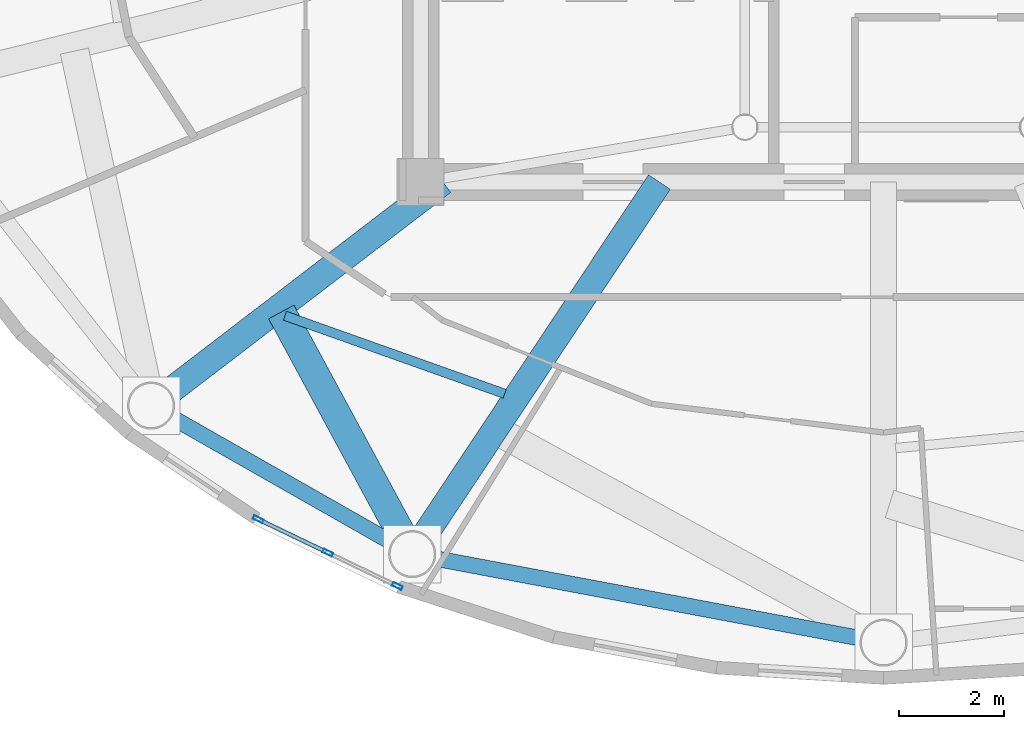
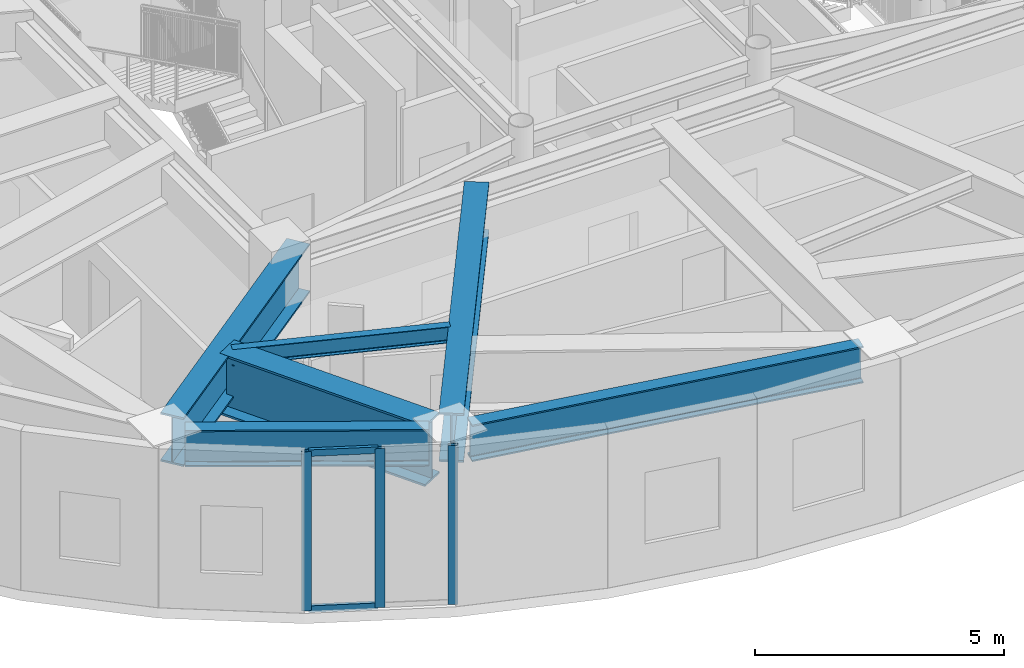
# One storey, part 3 of 23: 6 beams, 5 members, 1 element without a shape of its own.
"""IFC4 building model written with IfcOpenShell, lengths in metres."""

from ifc_helpers import new_model, si_unit, direction, frame, origin, origin_2d, place, context, subcontext, project, spatial, hollow_rectangle, i_section, extrude, source, transform, mapped, material, layer, layer_set, material_profile, profile_set, type_object, element, aggregate, save


model = new_model("IFC4")

# Units and contexts
model_context = context("Model", 3, precision=1e-05, world=origin(), true_north=direction((0.0, 1.0)))
body_context = subcontext(model_context, "Body", "Model", "MODEL_VIEW")
ifc_project = project(units=[si_unit("LENGTHUNIT", "METRE"), si_unit("AREAUNIT", "SQUARE_METRE"), si_unit("VOLUMEUNIT", "CUBIC_METRE"), si_unit("PLANEANGLEUNIT", "RADIAN"), si_unit("MASSUNIT", "GRAM", prefix="KILO")], contexts=[model_context])

# Site, building, storey
site_placement = place(None, origin())
site = spatial("IfcSite", under=ifc_project, at=site_placement, CompositionType="ELEMENT")
building_placement = place(site_placement, origin())
building = spatial("IfcBuilding", under=site, at=building_placement, Name="Linh Dai School and Residence Tower", CompositionType="ELEMENT")
storey_placement = place(building_placement, frame((0.0, 0.0, 359.39990234375)))
storey = spatial("IfcBuildingStorey", under=building, at=storey_placement, Name="L89", CompositionType="ELEMENT", Elevation=359.39990234375)

# Beams
ifc_material_1 = material(Name="Structural Steel S355JR", Category="steel")
ifc_material_profile_1 = material_profile(ifc_material_1, i_section(OverallWidth=0.300048828125, OverallDepth=0.89990234375, WebThickness=0.0185546875, FlangeThickness=0.034912109375, FilletRadius=0.030029296875, at=origin_2d()), Name="HEB 900")
ifc_profile_set_1 = profile_set([ifc_material_profile_1], Name="Structural Steel S355JR")
beam_type_1 = type_object("IfcBeamType", Name="BM-RG9", PredefinedType="BEAM", material=ifc_profile_set_1)
beam_1_placement = place(storey_placement, frame((22.362548828125, 16.069580078125, 3.4501953125), z_axis=(0.86923725405, -0.494395182189, 0.0), x_axis=(0.494395182189, 0.86923725405, 0.0)))
element("IfcBeam", 1, at=beam_1_placement, inside=storey, type_object=beam_type_1, Name="L89 Perimeter Elliptical Ring Beam 11", PredefinedType="BEAM", context=body_context, shape_type="SweptSolid", body=[
    extrude(i_section(OverallWidth=0.300048828125, OverallDepth=0.89990234375, WebThickness=0.0185546875, FlangeThickness=0.034912109375, FilletRadius=0.030029296875, at=origin_2d()), origin(), (0.0, 0.0, 1.0), 4.903076171875),
])
beam_2_placement = place(storey_placement, frame((27.402587890625, 13.3603515625, 3.4501953125), z_axis=(0.98280175603, -0.184663771066, 0.0), x_axis=(0.184663771066, 0.98280175603, 0.0)))
element("IfcBeam", 2, at=beam_2_placement, inside=storey, type_object=beam_type_1, Name="L89 Perimeter Elliptical Ring Beam 12", PredefinedType="BEAM", context=body_context, shape_type="SweptSolid", body=[
    extrude(i_section(OverallWidth=0.300048828125, OverallDepth=0.89990234375, WebThickness=0.0185546875, FlangeThickness=0.034912109375, FilletRadius=0.030029296875, at=origin_2d()), origin(), (0.0, 0.0, 1.0), 8.327880859375),
])
ifc_material_profile_2 = material_profile(ifc_material_1, i_section(OverallWidth=0.179931640625, OverallDepth=0.39990234375, WebThickness=0.008544921875, FlangeThickness=0.013427734375, FilletRadius=0.02099609375, at=origin_2d()), Name="IPE 400")
ifc_profile_set_2 = profile_set([ifc_material_profile_2], Name="Structural Steel S355JR")
beam_type_2 = type_object("IfcBeamType", Name="BM-SB40", PredefinedType="BEAM", material=ifc_profile_set_2)
beam_3_placement = place(storey_placement, frame((24.557861328125, 17.994873046875, 3.7001953125), z_axis=(0.942236588592, -0.334948072273, 0.0), x_axis=(0.334948072273, 0.942236588592, 0.0)))
element("IfcBeam", 3, at=beam_3_placement, inside=storey, type_object=beam_type_2, Name="L89 Secondary Circumferential Floor Beam 06", PredefinedType="BEAM", context=body_context, shape_type="SweptSolid", body=[
    extrude(i_section(OverallWidth=0.179931640625, OverallDepth=0.39990234375, WebThickness=0.008544921875, FlangeThickness=0.013427734375, FilletRadius=0.02099609375, at=origin_2d()), origin(), (0.0, 0.0, 1.0), 4.457275390625),
])
ifc_material_profile_3 = material_profile(ifc_material_1, i_section(OverallWidth=0.5, OverallDepth=1.199951171875, WebThickness=0.02392578125, FlangeThickness=0.044921875, at=origin_2d()), Name="PG 1200x500x24x45")
ifc_profile_set_3 = profile_set([ifc_material_profile_3], Name="Structural Steel S355JR")
beam_type_3 = type_object("IfcBeamType", Name="BM-TG12", PredefinedType="BEAM", material=ifc_profile_set_3)
beam_4_placement = place(storey_placement, frame((27.5771484375, 20.550048828125, 3.300048828125), z_axis=(-0.793929753809, -0.608009495006, 0.0), x_axis=(0.608009495006, -0.793929753809, 0.0)))
element("IfcBeam", 4, at=beam_4_placement, inside=storey, type_object=beam_type_3, Name="L89 Radial Setback Transfer Girder 11", PredefinedType="BEAM", context=body_context, shape_type="SweptSolid", body=[
    extrude(i_section(OverallWidth=0.5, OverallDepth=1.199951171875, WebThickness=0.02392578125, FlangeThickness=0.044921875, at=origin_2d()), origin(), (0.0, 0.0, 1.0), 6.607666015625),
])
beam_5_placement = place(storey_placement, frame((31.71484375, 20.550048828125, 3.300048828125), z_axis=(-0.553380967678, -0.832928270989, 0.0), x_axis=(0.832928270989, -0.553380967678, 0.0)))
element("IfcBeam", 5, at=beam_5_placement, inside=storey, type_object=beam_type_3, Name="L89 Radial Setback Transfer Girder 12", PredefinedType="BEAM", context=body_context, shape_type="SweptSolid", body=[
    extrude(i_section(OverallWidth=0.5, OverallDepth=1.199951171875, WebThickness=0.02392578125, FlangeThickness=0.044921875, at=origin_2d()), origin(), (0.0, 0.0, 1.0), 8.11865234375),
])
ifc_material_profile_4 = material_profile(ifc_material_1, i_section(OverallWidth=0.550048828125, OverallDepth=1.5, WebThickness=0.028076171875, FlangeThickness=0.050048828125, at=origin_2d()), Name="PG 1500x550x28x50")
ifc_profile_set_4 = profile_set([ifc_material_profile_4], Name="Structural Steel S355JR")
beam_type_4 = type_object("IfcBeamType", Name="BM-TG15", PredefinedType="BEAM", material=ifc_profile_set_4)
beam_6_placement = place(storey_placement, frame((24.48681640625, 18.065673828125, 3.150146484375), z_axis=(0.475707939477, -0.879603294854, 0.0), x_axis=(0.879603294854, 0.475707939477, 0.0)))
element("IfcBeam", 6, at=beam_6_placement, inside=storey, type_object=beam_type_4, Name="L89 Setback Diaphragm Transfer Girder 11", PredefinedType="BEAM", context=body_context, shape_type="SweptSolid", body=[
    extrude(i_section(OverallWidth=0.550048828125, OverallDepth=1.5, WebThickness=0.028076171875, FlangeThickness=0.050048828125, at=origin_2d()), origin(), (0.0, 0.0, 1.0), 4.841064453125),
])

# Curtain wall, members
ifc_material_2 = material(Name="Aluminium Anodised Curtain Wall", Category="aluminium")
ifc_layer = layer(ifc_material_2, 0.199951171875)
ifc_layer_set = layer_set([ifc_layer], Name="Aluminium Anodised Curtain Wall")
curtain_wall_type = type_object("IfcCurtainWallType", Name="CW-SYS-6", PredefinedType="USERDEFINED", material=ifc_layer_set)
curtain_wall_placement = place(storey_placement, origin())
curtain_wall = element("IfcCurtainWall", 7, at=curtain_wall_placement, inside=storey, type_object=curtain_wall_type, Name="L89 CW6 Curtain Wall 27", ObjectType="UNITISED CURTAIN WALL", PredefinedType="USERDEFINED")
ifc_material_3 = material(Name="Aluminium Alloy 6063-T6", Category="aluminium")
ifc_material_profile_5 = material_profile(ifc_material_3, hollow_rectangle(XDim=0.074951171875, YDim=0.159912109375, WallThickness=0.00390625, at=origin_2d()), Name="RHS 160x75x4")
ifc_profile_set_5 = profile_set([ifc_material_profile_5], Name="Aluminium Alloy 6063-T6")
member_type_1 = type_object("IfcMemberType", Name="CW-SYS-6-TRN", PredefinedType="USERDEFINED", material=ifc_profile_set_5)
shared_shape_1 = source(origin(), body_context, "Body", "SweptSolid", [
    extrude(hollow_rectangle(XDim=0.074951171875, YDim=0.159912109375, WallThickness=0.00390625, at=origin_2d()), origin(), (0.0, 0.0, 1.0), 1.39990234375),
])
member_1_placement = place(storey_placement, frame((25.342041015625, 13.481689453125, 0.03759765625), z_axis=(-0.901563871495, 0.432646028081, 0.0), x_axis=(-0.432646028081, -0.901563871495, 0.0)))
member_1 = element("IfcMember", 8, at=member_1_placement, type_object=member_type_1, Name="CW6 transom 2.1", ObjectType="TRANSOM", PredefinedType="USERDEFINED", context=body_context, shape_type="MappedRepresentation", body=[
    mapped(shared_shape_1, transform((0.0, 0.0, 0.0), x_axis=(1.0, 0.0, 0.0), y_axis=(0.0, 1.0, 0.0), z_axis=(0.0, 0.0, 1.0), scale=1.0)),
])
member_2_placement = place(storey_placement, frame((25.342041015625, 13.481689453125, 3.862548828125), z_axis=(-0.901563871495, 0.432646028081, 0.0), x_axis=(-0.432646028081, -0.901563871495, 0.0)))
member_2 = element("IfcMember", 9, at=member_2_placement, type_object=member_type_1, Name="CW6 transom 2.2", ObjectType="TRANSOM", PredefinedType="USERDEFINED", context=body_context, shape_type="MappedRepresentation", body=[
    mapped(shared_shape_1, transform((0.0, 0.0, 0.0), x_axis=(1.0, 0.0, 0.0), y_axis=(0.0, 1.0, 0.0), z_axis=(0.0, 0.0, 1.0), scale=1.0)),
])
ifc_material_profile_6 = material_profile(ifc_material_3, hollow_rectangle(XDim=0.074951171875, YDim=0.199951171875, WallThickness=0.00390625, at=origin_2d()), Name="RHS 200x75x4")
ifc_profile_set_6 = profile_set([ifc_material_profile_6], Name="Aluminium Alloy 6063-T6")
member_type_2 = type_object("IfcMemberType", Name="CW-SYS-6-MUL", PredefinedType="MULLION", material=ifc_profile_set_6)
shared_shape_2 = source(origin(), body_context, "Body", "SweptSolid", [
    extrude(hollow_rectangle(XDim=0.074951171875, YDim=0.199951171875, WallThickness=0.00390625, at=origin_2d()), origin(), (0.0, 0.0, 1.0), 3.900146484375),
])
member_3_placement = place(storey_placement, frame((26.705810546875, 12.8271484375, 0.0), z_axis=(0.0, 0.0, 1.0), x_axis=(-0.432673572418, -0.901550652892, 0.0)))
member_3 = element("IfcMember", 10, at=member_3_placement, type_object=member_type_2, Name="CW6 mullion 1", PredefinedType="MULLION", context=body_context, shape_type="MappedRepresentation", body=[
    mapped(shared_shape_2, transform((0.0, 0.0, 0.0), x_axis=(1.0, 0.0, 0.0), y_axis=(0.0, 1.0, 0.0), z_axis=(0.0, 0.0, 1.0), scale=1.0)),
])
member_4_placement = place(storey_placement, frame((25.3759765625, 13.46533203125, 0.0), z_axis=(0.0, 0.0, 1.0), x_axis=(-0.432673572418, -0.901550652892, 0.0)))
member_4 = element("IfcMember", 11, at=member_4_placement, type_object=member_type_2, Name="CW6 mullion 2", PredefinedType="MULLION", context=body_context, shape_type="MappedRepresentation", body=[
    mapped(shared_shape_2, transform((0.0, 0.0, 0.0), x_axis=(1.0, 0.0, 0.0), y_axis=(0.0, 1.0, 0.0), z_axis=(0.0, 0.0, 1.0), scale=1.0)),
])
member_5_placement = place(storey_placement, frame((24.046142578125, 14.103759765625, 0.0), z_axis=(0.0, 0.0, 1.0), x_axis=(-0.432673572418, -0.901550652892, 0.0)))
member_5 = element("IfcMember", 12, at=member_5_placement, type_object=member_type_2, Name="CW6 mullion 3", PredefinedType="MULLION", context=body_context, shape_type="MappedRepresentation", body=[
    mapped(shared_shape_2, transform((0.0, 0.0, 0.0), x_axis=(1.0, 0.0, 0.0), y_axis=(0.0, 1.0, 0.0), z_axis=(0.0, 0.0, 1.0), scale=1.0)),
])
aggregate(curtain_wall, [member_3, member_4, member_5, member_1, member_2])

save(model, "model.ifc")
